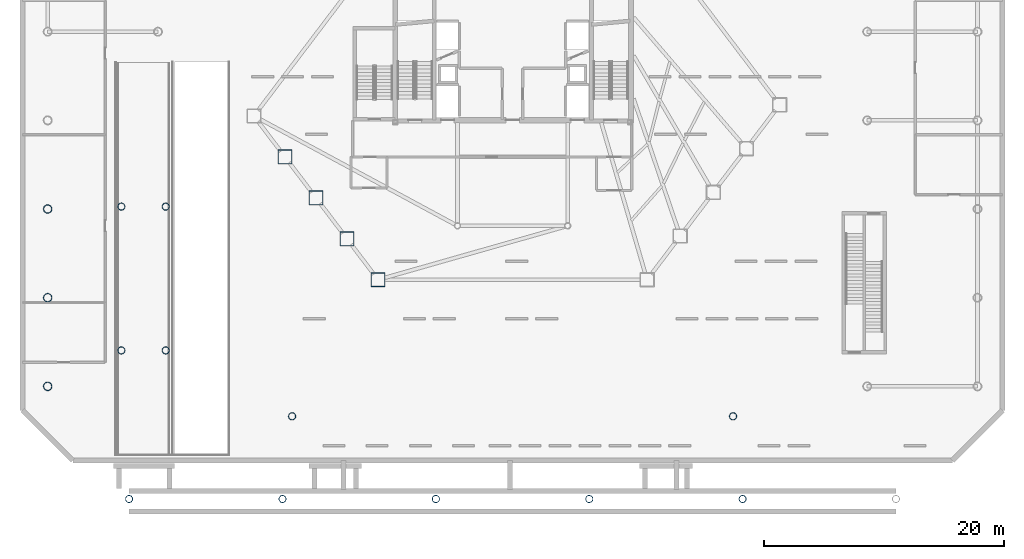
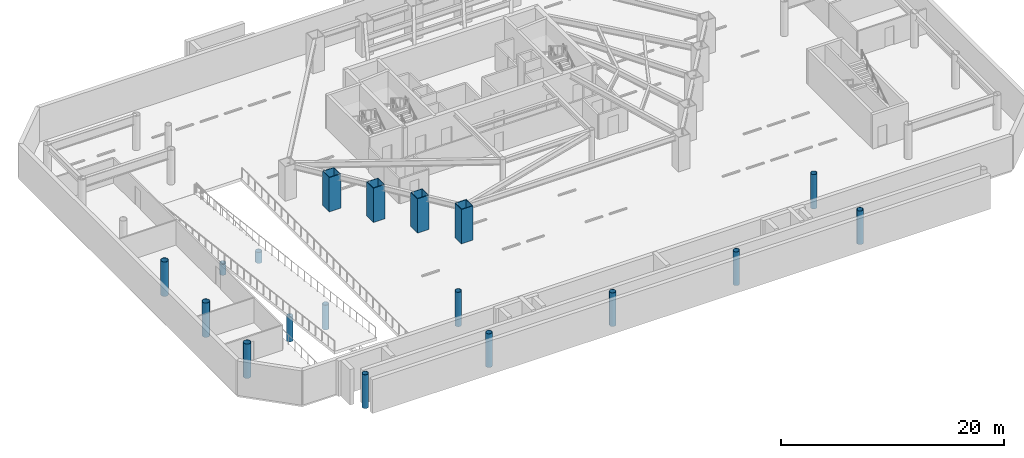
# One storey, part 1 of 15: 18 columns.
"""IFC4 building model written with IfcOpenShell, lengths in metres."""

from ifc_helpers import new_model, si_unit, direction, frame, origin, origin_2d, place, context, subcontext, project, spatial, hollow_rectangle, hollow_circle, extrude, material, material_profile, profile_set, type_object, element, save


model = new_model("IFC4")

# Units and contexts
model_context = context("Model", 3, precision=1e-05, world=origin(), true_north=direction((0.0, 1.0)))
body_context = subcontext(model_context, "Body", "Model", "MODEL_VIEW")
ifc_project = project(units=[si_unit("LENGTHUNIT", "METRE"), si_unit("AREAUNIT", "SQUARE_METRE"), si_unit("VOLUMEUNIT", "CUBIC_METRE"), si_unit("PLANEANGLEUNIT", "RADIAN"), si_unit("MASSUNIT", "GRAM", prefix="KILO")], contexts=[model_context])

# Site, building, storey
site_placement = place(None, origin())
site = spatial("IfcSite", under=ifc_project, at=site_placement, CompositionType="ELEMENT")
building_placement = place(site_placement, origin())
building = spatial("IfcBuilding", under=site, at=building_placement, Name="Zarrinselat Tower", CompositionType="ELEMENT")
storey_placement = place(building_placement, frame((0.0, 0.0, -4.080078125)))
storey = spatial("IfcBuildingStorey", under=building, at=storey_placement, Name="B01", CompositionType="ELEMENT", Elevation=-4.080078125)

# Columns
ifc_material_1 = material(Name="Steel S355J2", Category="steel")
ifc_material_profile_1 = material_profile(ifc_material_1, hollow_circle(Radius=0.304931640625, WallThickness=0.02490234375, at=origin_2d()), Name="CHS 610x25")
ifc_profile_set_1 = profile_set([ifc_material_profile_1], Name="Steel S355J2")
column_type_1 = type_object("IfcColumnType", Name="COL-CHS610", PredefinedType="COLUMN", material=ifc_profile_set_1)
for number, where, z_axis, x_axis, name in (
    (1, (6.39990234375, 1.60009765625, 0.0), (0.0, 0.0, 1.0), (1.0, 0.0, 0.0), "B01 Forecourt Plaza Pier 1"),
    (2, (19.199951171875, 1.60009765625, 0.0), (0.0, 0.0, 1.0), (1.0, 0.0, 0.0), "B01 Forecourt Plaza Pier 2"),
    (3, (32.0, 1.60009765625, 0.0), (0.0, 0.0, 1.0), (1.0, 0.0, 0.0), "B01 Forecourt Plaza Pier 3"),
    (4, (44.800048828125, 1.60009765625, 0.0), (0.0, 0.0, 1.0), (1.0, 0.0, 0.0), "B01 Forecourt Plaza Pier 4"),
    (5, (57.60009765625, 1.60009765625, 0.0), (0.0, 0.0, 1.0), (1.0, 0.0, 0.0), "B01 Forecourt Plaza Pier 5"),
):
    element("IfcColumn", number, at=place(storey_placement, frame(where, z_axis=z_axis, x_axis=x_axis)), inside=storey, type_object=column_type_1, Name=name, PredefinedType="COLUMN", context=body_context, shape_type="SweptSolid", body=[
        extrude(hollow_circle(Radius=0.304931640625, WallThickness=0.02490234375, at=origin_2d()), origin(), (0.0, 0.0, 1.0), 3.68017578125),
    ])
for number, where, z_axis, x_axis, name in (
    (6, (20.0, 8.5, 0.0), (0.0, 0.0, 1.0), (1.0, 0.0, 0.0), "B01 Garden Deck Support Column 1"),
    (7, (56.800048828125, 8.5, 0.0), (0.0, 0.0, 1.0), (1.0, 0.0, 0.0), "B01 Garden Deck Support Column 2"),
):
    element("IfcColumn", number, at=place(storey_placement, frame(where, z_axis=z_axis, x_axis=x_axis)), inside=storey, type_object=column_type_1, Name=name, PredefinedType="COLUMN", context=body_context, shape_type="SweptSolid", body=[
        extrude(hollow_circle(Radius=0.304931640625, WallThickness=0.02490234375, at=origin_2d()), origin(), (0.0, 0.0, 1.0), 3.760009765625),
    ])
for number, where, z_axis, x_axis, name in (
    (8, (5.75, 14.0, 0.0), (0.0, 0.0, 1.0), (1.0, 0.0, 0.0), "B01 Vehicle Ramp R2 Support Pier 1"),
    (9, (9.449951171875, 14.0, 0.0), (0.0, 0.0, 1.0), (1.0, 0.0, 0.0), "B01 Vehicle Ramp R2 Support Pier 2"),
):
    element("IfcColumn", number, at=place(storey_placement, frame(where, z_axis=z_axis, x_axis=x_axis)), inside=storey, type_object=column_type_1, Name=name, PredefinedType="COLUMN", context=body_context, shape_type="SweptSolid", body=[
        extrude(hollow_circle(Radius=0.304931640625, WallThickness=0.02490234375, at=origin_2d()), origin(), (0.0, 0.0, 1.0), 2.703125),
    ])
for number, where, z_axis, x_axis, name in (
    (10, (5.75, 26.0, 0.0), (0.0, 0.0, 1.0), (1.0, 0.0, 0.0), "B01 Vehicle Ramp R2 Support Pier 3"),
    (11, (9.449951171875, 26.0, 0.0), (0.0, 0.0, 1.0), (1.0, 0.0, 0.0), "B01 Vehicle Ramp R2 Support Pier 4"),
):
    element("IfcColumn", number, at=place(storey_placement, frame(where, z_axis=z_axis, x_axis=x_axis)), inside=storey, type_object=column_type_1, Name=name, PredefinedType="COLUMN", context=body_context, shape_type="SweptSolid", body=[
        extrude(hollow_circle(Radius=0.304931640625, WallThickness=0.02490234375, at=origin_2d()), origin(), (0.0, 0.0, 1.0), 1.203125),
    ])
ifc_material_2 = material(Name="Steel S460M", Category="steel")
ifc_material_profile_2 = material_profile(ifc_material_2, hollow_circle(Radius=0.35546875, WallThickness=0.030029296875, at=origin_2d()), Name="CHS 711x30")
ifc_profile_set_2 = profile_set([ifc_material_profile_2], Name="Steel S460M")
column_type_2 = type_object("IfcColumnType", Name="COL-CHS711", PredefinedType="COLUMN", material=ifc_profile_set_2)
for number, where, z_axis, x_axis, name in (
    (12, (-0.39990234375, 11.0, 0.0), (0.0, 0.0, 1.0), (1.0, 0.0, 0.0), "B01 Lower Podium Column 01"),
    (13, (-0.39990234375, 18.39990234375, 0.0), (0.0, 0.0, 1.0), (1.0, 0.0, 0.0), "B01 Lower Podium Column 02"),
    (14, (-0.39990234375, 25.800048828125, 0.0), (0.0, 0.0, 1.0), (1.0, 0.0, 0.0), "B01 Lower Podium Column 03"),
):
    element("IfcColumn", number, at=place(storey_placement, frame(where, z_axis=z_axis, x_axis=x_axis)), inside=storey, type_object=column_type_2, Name=name, PredefinedType="COLUMN", context=body_context, shape_type="SweptSolid", body=[
        extrude(hollow_circle(Radius=0.35546875, WallThickness=0.030029296875, at=origin_2d()), origin(), (0.0, 0.0, 1.0), 3.760009765625),
    ])
ifc_material_3 = material(Name="Steel S460M", Category="steel")
ifc_material_profile_3 = material_profile(ifc_material_3, hollow_rectangle(XDim=1.199951171875, YDim=1.199951171875, WallThickness=0.06005859375, at=origin_2d()), Name="SHS 1200x1200x60")
ifc_profile_set_3 = profile_set([ifc_material_profile_3], Name="Steel S460M")
column_type_3 = type_object("IfcColumnType", Name="COL-SHS1200", PredefinedType="COLUMN", material=ifc_profile_set_3)
for number, where, z_axis, x_axis, name in (
    (15, (19.40478515625, 30.14990234375, 0.0), (0.0, 0.0, 1.0), (1.0, 0.0, 0.0), "B01 Framed-Tube Column T07"),
    (16, (21.994384765625, 26.73193359375, 0.0), (0.0, 0.0, 1.0), (1.0, 0.0, 0.0), "B01 Framed-Tube Column T08"),
    (17, (24.58349609375, 23.31396484375, 0.0), (0.0, 0.0, 1.0), (1.0, 0.0, 0.0), "B01 Framed-Tube Column T09"),
    (18, (27.173095703125, 19.89599609375, 0.0), (0.0, 0.0, 1.0), (1.0, 0.0, 0.0), "B01 Framed-Tube Column T10"),
):
    element("IfcColumn", number, at=place(storey_placement, frame(where, z_axis=z_axis, x_axis=x_axis)), inside=storey, type_object=column_type_3, Name=name, PredefinedType="COLUMN", context=body_context, shape_type="SweptSolid", body=[
        extrude(hollow_rectangle(XDim=1.199951171875, YDim=1.199951171875, WallThickness=0.06005859375, at=origin_2d()), origin(), (0.0, 0.0, 1.0), 3.760009765625),
    ])

save(model, "model.ifc")
